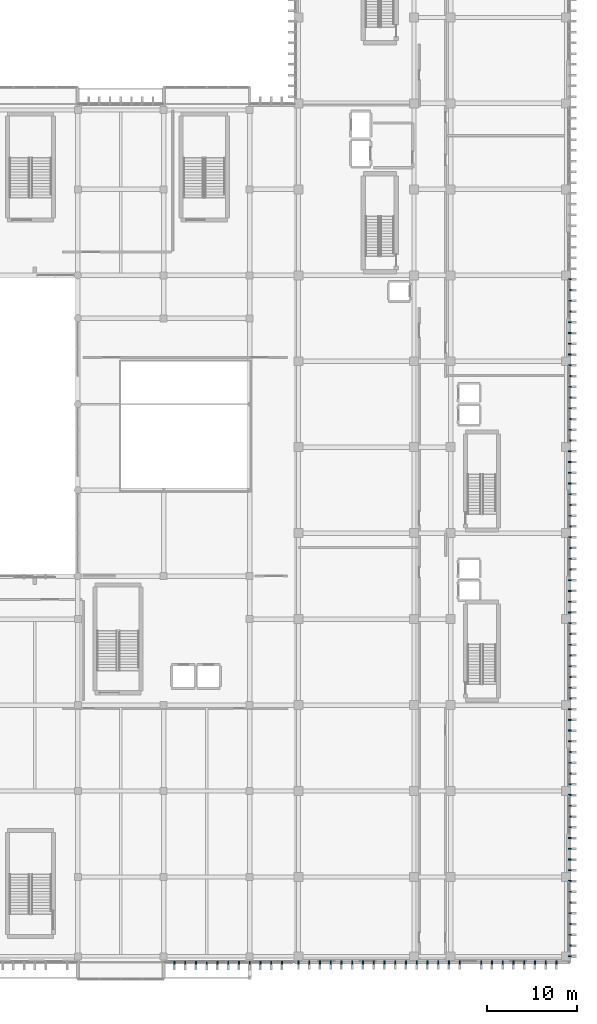
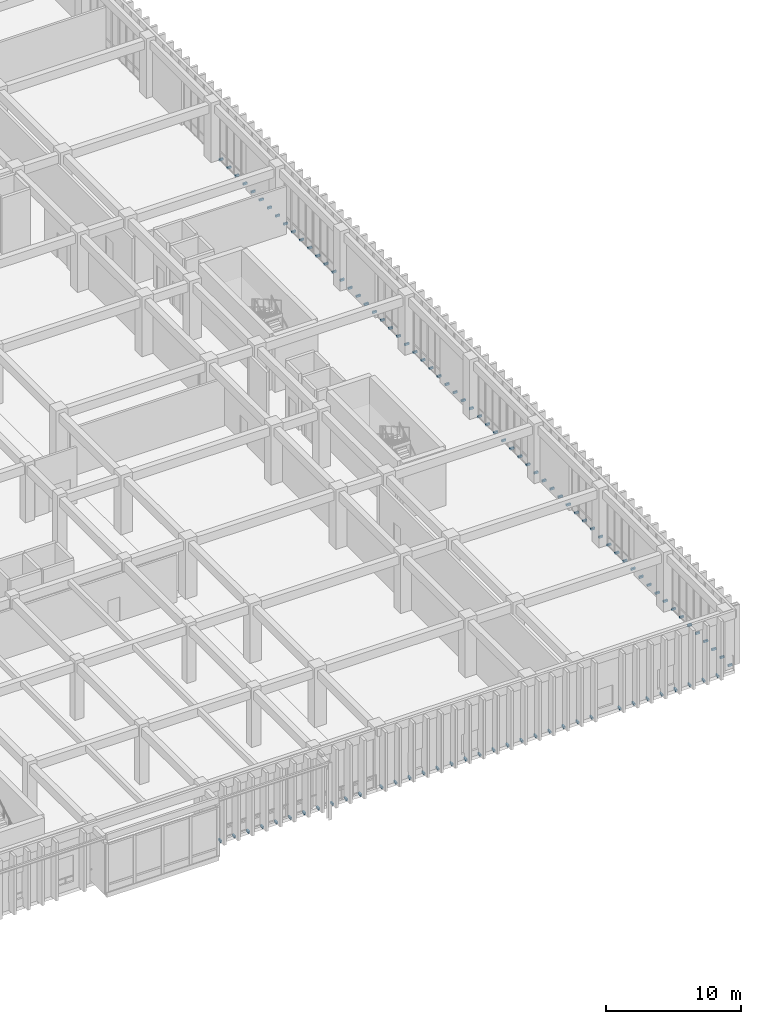
# One storey, part 114 of 134: 99 discrete accessories.
"""IFC4 building model written with IfcOpenShell, lengths in metres."""

from ifc_helpers import new_model, si_unit, direction, frame, origin, origin_2d, place, context, subcontext, project, spatial, rectangle, extrude, material, type_object, element, save


model = new_model("IFC4")

# Units and contexts
model_context = context("Model", 3, precision=1e-05, world=origin(), true_north=direction((0.0, 1.0)))
body_context = subcontext(model_context, "Body", "Model", "MODEL_VIEW")
ifc_project = project(units=[si_unit("LENGTHUNIT", "METRE"), si_unit("AREAUNIT", "SQUARE_METRE"), si_unit("VOLUMEUNIT", "CUBIC_METRE"), si_unit("PLANEANGLEUNIT", "RADIAN"), si_unit("MASSUNIT", "GRAM", prefix="KILO")], contexts=[model_context])

# Site, building, storey
site_placement = place(None, origin())
site = spatial("IfcSite", under=ifc_project, at=site_placement, CompositionType="ELEMENT")
building_placement = place(site_placement, origin())
building = spatial("IfcBuilding", under=site, at=building_placement, Name="Nakhvara Creek Congress Hotel", CompositionType="ELEMENT")
storey_placement = place(building_placement, frame((0.0, 0.0, 6.0)))
storey = spatial("IfcBuildingStorey", under=building, at=storey_placement, Name="L01", CompositionType="ELEMENT", Elevation=6.0)

# Discrete accessories
ifc_material = material(Name="Brushed stainless steel 316L", Category="steel")
discrete_accessory_type = type_object("IfcDiscreteAccessoryType", Name="ACC-BRK-SS316", PredefinedType="BRACKET", material=ifc_material)
for number, where, z_axis, x_axis, name in (
    (1, (135.60009765625, 0.02001953125, -0.10986328125), (0.0, 0.0, 1.0), (1.0, 0.0, 0.0), "Stainless Fin Bracket BK01-0175"),
    (2, (136.800048828125, 0.02001953125, -0.10986328125), (0.0, 0.0, 1.0), (1.0, 0.0, 0.0), "Stainless Fin Bracket BK01-0176"),
    (3, (138.0, 0.02001953125, -0.10986328125), (0.0, 0.0, 1.0), (1.0, 0.0, 0.0), "Stainless Fin Bracket BK01-0177"),
    (4, (139.199951171875, 0.02001953125, -0.10986328125), (0.0, 0.0, 1.0), (1.0, 0.0, 0.0), "Stainless Fin Bracket BK01-0178"),
    (5, (140.39990234375, 0.02001953125, -0.10986328125), (0.0, 0.0, 1.0), (1.0, 0.0, 0.0), "Stainless Fin Bracket BK01-0179"),
    (6, (141.60009765625, 0.02001953125, -0.10986328125), (0.0, 0.0, 1.0), (1.0, 0.0, 0.0), "Stainless Fin Bracket BK01-0180"),
    (7, (142.800048828125, 0.02001953125, -0.10986328125), (0.0, 0.0, 1.0), (1.0, 0.0, 0.0), "Stainless Fin Bracket BK01-0181"),
    (8, (144.0, 0.02001953125, -0.10986328125), (0.0, 0.0, 1.0), (1.0, 0.0, 0.0), "Stainless Fin Bracket BK01-0182"),
    (9, (145.199951171875, 0.02001953125, -0.10986328125), (0.0, 0.0, 1.0), (1.0, 0.0, 0.0), "Stainless Fin Bracket BK01-0183"),
    (10, (146.39990234375, 0.02001953125, -0.10986328125), (0.0, 0.0, 1.0), (1.0, 0.0, 0.0), "Stainless Fin Bracket BK01-0184"),
    (11, (147.60009765625, 0.02001953125, -0.10986328125), (0.0, 0.0, 1.0), (1.0, 0.0, 0.0), "Stainless Fin Bracket BK01-0185"),
    (12, (179.72998046875, 0.75, -0.10986328125), (0.0, 0.0, 1.0), (0.0, 1.0, 0.0), "Stainless Fin Bracket BK01-0542"),
    (13, (179.72998046875, 1.949951171875, -0.10986328125), (0.0, 0.0, 1.0), (0.0, 1.0, 0.0), "Stainless Fin Bracket BK01-0543"),
    (14, (179.72998046875, 3.14990234375, -0.10986328125), (0.0, 0.0, 1.0), (0.0, 1.0, 0.0), "Stainless Fin Bracket BK01-0544"),
    (15, (179.72998046875, 4.35009765625, -0.10986328125), (0.0, 0.0, 1.0), (0.0, 1.0, 0.0), "Stainless Fin Bracket BK01-0545"),
    (16, (179.72998046875, 5.550048828125, -0.10986328125), (0.0, 0.0, 1.0), (0.0, 1.0, 0.0), "Stainless Fin Bracket BK01-0546"),
    (17, (179.72998046875, 6.75, -0.10986328125), (0.0, 0.0, 1.0), (0.0, 1.0, 0.0), "Stainless Fin Bracket BK01-0547"),
    (18, (179.72998046875, 7.949951171875, -0.10986328125), (0.0, 0.0, 1.0), (0.0, 1.0, 0.0), "Stainless Fin Bracket BK01-0548"),
    (19, (179.72998046875, 9.14990234375, -0.10986328125), (0.0, 0.0, 1.0), (0.0, 1.0, 0.0), "Stainless Fin Bracket BK01-0549"),
    (20, (179.72998046875, 10.35009765625, -0.10986328125), (0.0, 0.0, 1.0), (0.0, 1.0, 0.0), "Stainless Fin Bracket BK01-0550"),
    (21, (179.72998046875, 11.550048828125, -0.10986328125), (0.0, 0.0, 1.0), (0.0, 1.0, 0.0), "Stainless Fin Bracket BK01-0551"),
    (22, (179.72998046875, 12.75, -0.10986328125), (0.0, 0.0, 1.0), (0.0, 1.0, 0.0), "Stainless Fin Bracket BK01-0552"),
    (23, (179.72998046875, 13.949951171875, -0.10986328125), (0.0, 0.0, 1.0), (0.0, 1.0, 0.0), "Stainless Fin Bracket BK01-0553"),
    (24, (179.72998046875, 15.14990234375, -0.10986328125), (0.0, 0.0, 1.0), (0.0, 1.0, 0.0), "Stainless Fin Bracket BK01-0554"),
    (25, (179.72998046875, 16.35009765625, -0.10986328125), (0.0, 0.0, 1.0), (0.0, 1.0, 0.0), "Stainless Fin Bracket BK01-0555"),
    (26, (179.72998046875, 17.550048828125, -0.10986328125), (0.0, 0.0, 1.0), (0.0, 1.0, 0.0), "Stainless Fin Bracket BK01-0556"),
    (27, (179.72998046875, 18.75, -0.10986328125), (0.0, 0.0, 1.0), (0.0, 1.0, 0.0), "Stainless Fin Bracket BK01-0557"),
    (28, (179.72998046875, 19.949951171875, -0.10986328125), (0.0, 0.0, 1.0), (0.0, 1.0, 0.0), "Stainless Fin Bracket BK01-0558"),
    (29, (179.72998046875, 21.14990234375, -0.10986328125), (0.0, 0.0, 1.0), (0.0, 1.0, 0.0), "Stainless Fin Bracket BK01-0559"),
    (30, (179.72998046875, 22.35009765625, -0.10986328125), (0.0, 0.0, 1.0), (0.0, 1.0, 0.0), "Stainless Fin Bracket BK01-0560"),
    (31, (179.72998046875, 23.550048828125, -0.10986328125), (0.0, 0.0, 1.0), (0.0, 1.0, 0.0), "Stainless Fin Bracket BK01-0561"),
    (32, (179.72998046875, 24.75, -0.10986328125), (0.0, 0.0, 1.0), (0.0, 1.0, 0.0), "Stainless Fin Bracket BK01-0562"),
    (33, (179.72998046875, 25.949951171875, -0.10986328125), (0.0, 0.0, 1.0), (0.0, 1.0, 0.0), "Stainless Fin Bracket BK01-0563"),
    (34, (179.72998046875, 27.14990234375, -0.10986328125), (0.0, 0.0, 1.0), (0.0, 1.0, 0.0), "Stainless Fin Bracket BK01-0564"),
    (35, (179.72998046875, 28.35009765625, -0.10986328125), (0.0, 0.0, 1.0), (0.0, 1.0, 0.0), "Stainless Fin Bracket BK01-0565"),
    (36, (179.72998046875, 29.550048828125, -0.10986328125), (0.0, 0.0, 1.0), (0.0, 1.0, 0.0), "Stainless Fin Bracket BK01-0566"),
    (37, (179.72998046875, 30.75, -0.10986328125), (0.0, 0.0, 1.0), (0.0, 1.0, 0.0), "Stainless Fin Bracket BK01-0567"),
    (38, (179.72998046875, 31.949951171875, -0.10986328125), (0.0, 0.0, 1.0), (0.0, 1.0, 0.0), "Stainless Fin Bracket BK01-0568"),
    (39, (179.72998046875, 33.14990234375, -0.10986328125), (0.0, 0.0, 1.0), (0.0, 1.0, 0.0), "Stainless Fin Bracket BK01-0569"),
    (40, (179.72998046875, 34.35009765625, -0.10986328125), (0.0, 0.0, 1.0), (0.0, 1.0, 0.0), "Stainless Fin Bracket BK01-0570"),
    (41, (179.72998046875, 35.550048828125, -0.10986328125), (0.0, 0.0, 1.0), (0.0, 1.0, 0.0), "Stainless Fin Bracket BK01-0571"),
    (42, (179.72998046875, 36.75, -0.10986328125), (0.0, 0.0, 1.0), (0.0, 1.0, 0.0), "Stainless Fin Bracket BK01-0572"),
    (43, (179.72998046875, 37.949951171875, -0.10986328125), (0.0, 0.0, 1.0), (0.0, 1.0, 0.0), "Stainless Fin Bracket BK01-0573"),
    (44, (179.72998046875, 39.14990234375, -0.10986328125), (0.0, 0.0, 1.0), (0.0, 1.0, 0.0), "Stainless Fin Bracket BK01-0574"),
    (45, (179.72998046875, 40.35009765625, -0.10986328125), (0.0, 0.0, 1.0), (0.0, 1.0, 0.0), "Stainless Fin Bracket BK01-0575"),
    (46, (179.72998046875, 41.550048828125, -0.10986328125), (0.0, 0.0, 1.0), (0.0, 1.0, 0.0), "Stainless Fin Bracket BK01-0576"),
    (47, (179.72998046875, 42.75, -0.10986328125), (0.0, 0.0, 1.0), (0.0, 1.0, 0.0), "Stainless Fin Bracket BK01-0577"),
    (48, (179.72998046875, 43.949951171875, -0.10986328125), (0.0, 0.0, 1.0), (0.0, 1.0, 0.0), "Stainless Fin Bracket BK01-0578"),
    (49, (179.72998046875, 45.14990234375, -0.10986328125), (0.0, 0.0, 1.0), (0.0, 1.0, 0.0), "Stainless Fin Bracket BK01-0579"),
    (50, (179.72998046875, 46.35009765625, -0.10986328125), (0.0, 0.0, 1.0), (0.0, 1.0, 0.0), "Stainless Fin Bracket BK01-0580"),
    (51, (179.72998046875, 47.550048828125, -0.10986328125), (0.0, 0.0, 1.0), (0.0, 1.0, 0.0), "Stainless Fin Bracket BK01-0581"),
    (52, (179.72998046875, 48.75, -0.10986328125), (0.0, 0.0, 1.0), (0.0, 1.0, 0.0), "Stainless Fin Bracket BK01-0582"),
    (53, (179.72998046875, 49.949951171875, -0.10986328125), (0.0, 0.0, 1.0), (0.0, 1.0, 0.0), "Stainless Fin Bracket BK01-0583"),
    (54, (179.72998046875, 51.14990234375, -0.10986328125), (0.0, 0.0, 1.0), (0.0, 1.0, 0.0), "Stainless Fin Bracket BK01-0584"),
    (55, (179.72998046875, 52.35009765625, -0.10986328125), (0.0, 0.0, 1.0), (0.0, 1.0, 0.0), "Stainless Fin Bracket BK01-0585"),
    (56, (179.72998046875, 53.550048828125, -0.10986328125), (0.0, 0.0, 1.0), (0.0, 1.0, 0.0), "Stainless Fin Bracket BK01-0586"),
    (57, (179.72998046875, 54.75, -0.10986328125), (0.0, 0.0, 1.0), (0.0, 1.0, 0.0), "Stainless Fin Bracket BK01-0587"),
    (58, (179.72998046875, 55.949951171875, -0.10986328125), (0.0, 0.0, 1.0), (0.0, 1.0, 0.0), "Stainless Fin Bracket BK01-0588"),
    (59, (179.72998046875, 57.14990234375, -0.10986328125), (0.0, 0.0, 1.0), (0.0, 1.0, 0.0), "Stainless Fin Bracket BK01-0589"),
    (60, (179.72998046875, 58.35009765625, -0.10986328125), (0.0, 0.0, 1.0), (0.0, 1.0, 0.0), "Stainless Fin Bracket BK01-0590"),
    (61, (179.72998046875, 59.550048828125, -0.10986328125), (0.0, 0.0, 1.0), (0.0, 1.0, 0.0), "Stainless Fin Bracket BK01-0591"),
    (62, (179.72998046875, 60.75, -0.10986328125), (0.0, 0.0, 1.0), (0.0, 1.0, 0.0), "Stainless Fin Bracket BK01-0592"),
    (63, (179.72998046875, 61.949951171875, -0.10986328125), (0.0, 0.0, 1.0), (0.0, 1.0, 0.0), "Stainless Fin Bracket BK01-0593"),
    (64, (179.72998046875, 63.14990234375, -0.10986328125), (0.0, 0.0, 1.0), (0.0, 1.0, 0.0), "Stainless Fin Bracket BK01-0594"),
    (65, (179.72998046875, 64.35009765625, -0.10986328125), (0.0, 0.0, 1.0), (0.0, 1.0, 0.0), "Stainless Fin Bracket BK01-0595"),
    (66, (179.72998046875, 65.550048828125, -0.10986328125), (0.0, 0.0, 1.0), (0.0, 1.0, 0.0), "Stainless Fin Bracket BK01-0596"),
    (67, (179.72998046875, 66.75, -0.10986328125), (0.0, 0.0, 1.0), (0.0, 1.0, 0.0), "Stainless Fin Bracket BK01-0597"),
    (68, (179.72998046875, 67.949951171875, -0.10986328125), (0.0, 0.0, 1.0), (0.0, 1.0, 0.0), "Stainless Fin Bracket BK01-0598"),
    (69, (179.72998046875, 69.14990234375, -0.10986328125), (0.0, 0.0, 1.0), (0.0, 1.0, 0.0), "Stainless Fin Bracket BK01-0599"),
    (70, (179.72998046875, 70.35009765625, -0.10986328125), (0.0, 0.0, 1.0), (0.0, 1.0, 0.0), "Stainless Fin Bracket BK01-0600"),
    (71, (179.72998046875, 71.550048828125, -0.10986328125), (0.0, 0.0, 1.0), (0.0, 1.0, 0.0), "Stainless Fin Bracket BK01-0601"),
    (72, (179.72998046875, 72.75, -0.10986328125), (0.0, 0.0, 1.0), (0.0, 1.0, 0.0), "Stainless Fin Bracket BK01-0602"),
    (73, (179.72998046875, 73.949951171875, -0.10986328125), (0.0, 0.0, 1.0), (0.0, 1.0, 0.0), "Stainless Fin Bracket BK01-0603"),
    (74, (179.72998046875, 75.14990234375, -0.10986328125), (0.0, 0.0, 1.0), (0.0, 1.0, 0.0), "Stainless Fin Bracket BK01-0604"),
    (75, (179.72998046875, 76.35009765625, -0.10986328125), (0.0, 0.0, 1.0), (0.0, 1.0, 0.0), "Stainless Fin Bracket BK01-0605"),
    (76, (149.449951171875, 0.06005859375, -0.10986328125), (0.0, 0.0, 1.0), (1.0, 0.0, 0.0), "Stainless Fin Bracket BK01-0673"),
    (77, (150.64990234375, 0.06005859375, -0.10986328125), (0.0, 0.0, 1.0), (1.0, 0.0, 0.0), "Stainless Fin Bracket BK01-0675"),
    (78, (151.85009765625, 0.06005859375, -0.10986328125), (0.0, 0.0, 1.0), (1.0, 0.0, 0.0), "Stainless Fin Bracket BK01-0677"),
    (79, (153.050048828125, 0.06005859375, -0.10986328125), (0.0, 0.0, 1.0), (1.0, 0.0, 0.0), "Stainless Fin Bracket BK01-0679"),
    (80, (154.25, 0.06005859375, -0.10986328125), (0.0, 0.0, 1.0), (1.0, 0.0, 0.0), "Stainless Fin Bracket BK01-0680"),
    (81, (155.449951171875, 0.06005859375, -0.10986328125), (0.0, 0.0, 1.0), (1.0, 0.0, 0.0), "Stainless Fin Bracket BK01-0682"),
    (82, (156.64990234375, 0.06005859375, -0.10986328125), (0.0, 0.0, 1.0), (1.0, 0.0, 0.0), "Stainless Fin Bracket BK01-0684"),
    (83, (157.85009765625, 0.06005859375, -0.10986328125), (0.0, 0.0, 1.0), (1.0, 0.0, 0.0), "Stainless Fin Bracket BK01-0686"),
    (84, (159.050048828125, 0.06005859375, -0.10986328125), (0.0, 0.0, 1.0), (1.0, 0.0, 0.0), "Stainless Fin Bracket BK01-0688"),
    (85, (160.25, 0.06005859375, -0.10986328125), (0.0, 0.0, 1.0), (1.0, 0.0, 0.0), "Stainless Fin Bracket BK01-0689"),
    (86, (161.449951171875, 0.06005859375, -0.10986328125), (0.0, 0.0, 1.0), (1.0, 0.0, 0.0), "Stainless Fin Bracket BK01-0691"),
    (87, (162.64990234375, 0.06005859375, -0.10986328125), (0.0, 0.0, 1.0), (1.0, 0.0, 0.0), "Stainless Fin Bracket BK01-0693"),
    (88, (163.85009765625, 0.06005859375, -0.10986328125), (0.0, 0.0, 1.0), (1.0, 0.0, 0.0), "Stainless Fin Bracket BK01-0695"),
    (89, (165.050048828125, 0.06005859375, -0.10986328125), (0.0, 0.0, 1.0), (1.0, 0.0, 0.0), "Stainless Fin Bracket BK01-0697"),
    (90, (166.25, 0.06005859375, -0.10986328125), (0.0, 0.0, 1.0), (1.0, 0.0, 0.0), "Stainless Fin Bracket BK01-0699"),
    (91, (167.449951171875, 0.06005859375, -0.10986328125), (0.0, 0.0, 1.0), (1.0, 0.0, 0.0), "Stainless Fin Bracket BK01-0701"),
    (92, (169.85009765625, 0.06005859375, -0.10986328125), (0.0, 0.0, 1.0), (1.0, 0.0, 0.0), "Stainless Fin Bracket BK01-0704"),
    (93, (171.050048828125, 0.06005859375, -0.10986328125), (0.0, 0.0, 1.0), (1.0, 0.0, 0.0), "Stainless Fin Bracket BK01-0706"),
    (94, (172.25, 0.06005859375, -0.10986328125), (0.0, 0.0, 1.0), (1.0, 0.0, 0.0), "Stainless Fin Bracket BK01-0708"),
    (95, (173.449951171875, 0.06005859375, -0.10986328125), (0.0, 0.0, 1.0), (1.0, 0.0, 0.0), "Stainless Fin Bracket BK01-0710"),
    (96, (174.64990234375, 0.06005859375, -0.10986328125), (0.0, 0.0, 1.0), (1.0, 0.0, 0.0), "Stainless Fin Bracket BK01-0712"),
    (97, (175.85009765625, 0.06005859375, -0.10986328125), (0.0, 0.0, 1.0), (1.0, 0.0, 0.0), "Stainless Fin Bracket BK01-0713"),
    (98, (177.050048828125, 0.06005859375, -0.10986328125), (0.0, 0.0, 1.0), (1.0, 0.0, 0.0), "Stainless Fin Bracket BK01-0715"),
    (99, (178.25, 0.06005859375, -0.10986328125), (0.0, 0.0, 1.0), (1.0, 0.0, 0.0), "Stainless Fin Bracket BK01-0717"),
):
    element("IfcDiscreteAccessory", number, at=place(storey_placement, frame(where, z_axis=z_axis, x_axis=x_axis)), inside=storey, type_object=discrete_accessory_type, Name=name, PredefinedType="BRACKET", context=body_context, shape_type="SweptSolid", body=[
        extrude(rectangle(XDim=0.139892578125, YDim=0.360107421875, at=origin_2d()), origin(), (0.0, 0.0, 1.0), 0.179931640625),
    ])

save(model, "model.ifc")
